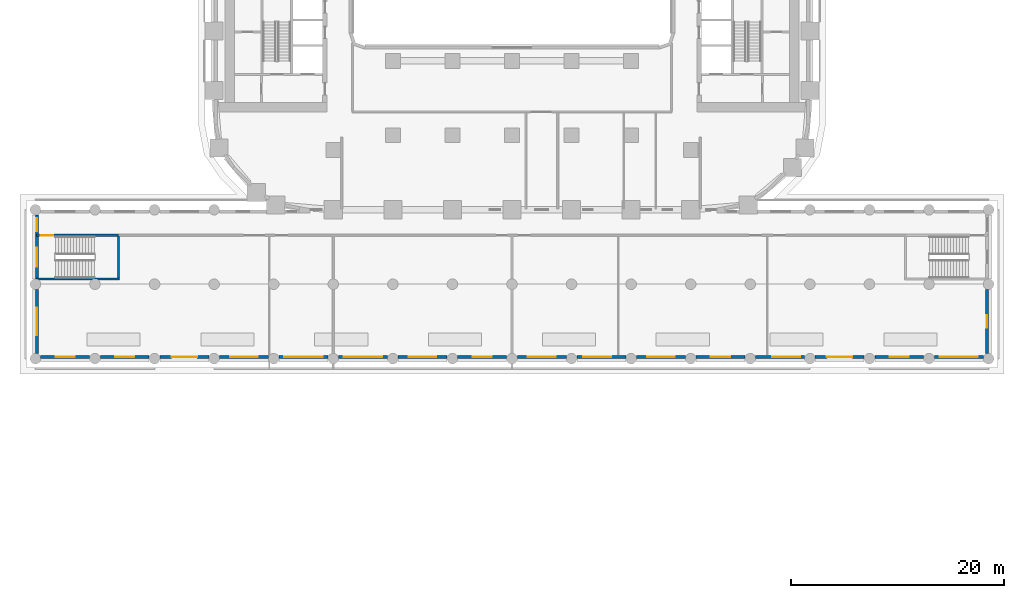
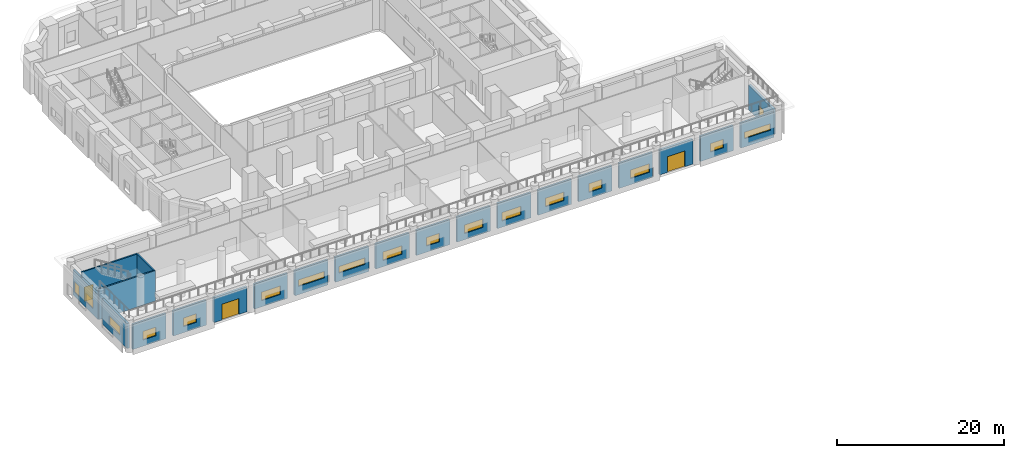
# One storey, part 19 of 35: 22 walls, 18 windows, 3 doors, 21 openings.
"""IFC4 building model written with IfcOpenShell, lengths in metres."""

from ifc_helpers import new_model, si_unit, direction, frame, frame_2d, origin, place, context, subcontext, project, spatial, rectangle, extrude, material, layer, layer_set, type_object, element, fill, save


model = new_model("IFC4")

# Units and contexts
model_context = context("Model", 3, precision=1e-05, world=origin(), true_north=direction((0.0, 1.0)))
body_context = subcontext(model_context, "Body", "Model", "MODEL_VIEW")
ifc_project = project(units=[si_unit("LENGTHUNIT", "METRE"), si_unit("AREAUNIT", "SQUARE_METRE"), si_unit("VOLUMEUNIT", "CUBIC_METRE"), si_unit("PLANEANGLEUNIT", "RADIAN"), si_unit("MASSUNIT", "GRAM", prefix="KILO")], contexts=[model_context])

# Site, building, storey
site_placement = place(None, origin())
site = spatial("IfcSite", under=ifc_project, at=site_placement, CompositionType="ELEMENT")
building_placement = place(site_placement, origin())
building = spatial("IfcBuilding", under=site, at=building_placement, Name="Kiln Ring Residences", CompositionType="ELEMENT")
storey_placement = place(building_placement, frame((0.0, 0.0, 20.89990234375)))
storey = spatial("IfcBuildingStorey", under=building, at=storey_placement, Name="L04", CompositionType="ELEMENT", Elevation=20.89990234375)

# Wall, opening, window
ifc_material_1 = material(Name="Brick masonry, dark clay brick", Category="masonry")
ifc_layer_1 = layer(ifc_material_1, 0.300048828125)
ifc_layer_set_1 = layer_set([ifc_layer_1], Name="EW-300 BRICK WALL")
wall_type_1 = type_object("IfcWallType", Name="EW-300 BRICK WALL", PredefinedType="SOLIDWALL", material=ifc_layer_set_1)
wall_1_placement = place(storey_placement, frame((44.64990234375, -35.89990234375, 0.0), z_axis=(0.0, 0.0, 1.0), x_axis=(0.0, 1.0, 0.0)))
wall_1 = element("IfcWall", 1, at=wall_1_placement, inside=storey, type_object=wall_type_1, Name="Facade wall L04 1", PredefinedType="SOLIDWALL", context=body_context, shape_type="SweptSolid", body=[
    extrude(rectangle(XDim=6.0, YDim=0.300048828125, at=frame_2d((3.0, 0.0))), origin(), (0.0, 0.0, 1.0), 3.650146484375),
])
opening_1_placement = place(wall_1_placement, frame((2.39990234375, 0.0, 0.60009765625)))
opening_1 = element("IfcOpeningElement", 2, at=opening_1_placement, cuts=wall_1, Name="Opening W1", PredefinedType="OPENING", context=body_context, shape_type="SweptSolid", body=[
    extrude(rectangle(XDim=1.199951171875, YDim=1.550048828125, at=frame_2d((0.60009765625, 0.77490234375))), frame((0.0, 0.159912109375, 0.0), z_axis=(0.0, -1.0, 0.0), x_axis=(1.0, 0.0, 0.0)), (0.0, 0.0, 1.0), 0.320068359375),
])
ifc_material_2 = material(Name="Aluminium frame with double glazing", Category="aluminium")
window_type_1 = type_object("IfcWindowType", Name="WINDOW 1200 x 1550", PartitioningType="SINGLE_PANEL", PredefinedType="WINDOW", material=ifc_material_2)
window_1_placement = place(opening_1_placement, origin())
window_1 = element("IfcWindow", 3, at=window_1_placement, inside=storey, type_object=window_type_1, Name="Window L04 1", OverallHeight=1.550048828125, OverallWidth=1.199951171875, PartitioningType="SINGLE_PANEL", PredefinedType="WINDOW", context=body_context, shape_type="SweptSolid", body=[
    extrude(rectangle(XDim=1.199951171875, YDim=1.550048828125, at=frame_2d((0.60009765625, 0.77490234375))), frame((0.0, 0.030029296875, 0.0), z_axis=(0.0, -1.0, 0.0), x_axis=(1.0, 0.0, 0.0)), (0.0, 0.0, 1.0), 0.06005859375),
])
fill(opening_1, window_1)

# Wall, openings, windows
wall_2_placement = place(storey_placement, frame((-44.64990234375, -22.89990234375, 0.0), z_axis=(0.0, 0.0, 1.0), x_axis=(0.0, -1.0, 0.0)))
wall_2 = element("IfcWall", 4, at=wall_2_placement, inside=storey, type_object=wall_type_1, Name="Facade wall L04 53", PredefinedType="SOLIDWALL", context=body_context, shape_type="SweptSolid", body=[
    extrude(rectangle(XDim=6.0, YDim=0.300048828125, at=frame_2d((3.0, 0.0))), origin(), (0.0, 0.0, 1.0), 3.650146484375),
])
opening_2_placement = place(wall_2_placement, frame((0.3125, 0.0, 0.60009765625)))
opening_2 = element("IfcOpeningElement", 5, at=opening_2_placement, cuts=wall_2, Name="Opening W1", PredefinedType="OPENING", context=body_context, shape_type="SweptSolid", body=[
    extrude(rectangle(XDim=1.199951171875, YDim=1.550048828125, at=frame_2d((0.60009765625, 0.77490234375))), frame((0.0, 0.159912109375, 0.0), z_axis=(0.0, -1.0, 0.0), x_axis=(1.0, 0.0, 0.0)), (0.0, 0.0, 1.0), 0.320068359375),
])
opening_3_placement = place(wall_2_placement, frame((3.050048828125, 0.0, 0.89990234375)))
opening_3 = element("IfcOpeningElement", 6, at=opening_3_placement, cuts=wall_2, Name="Opening W2", PredefinedType="OPENING", context=body_context, shape_type="SweptSolid", body=[
    extrude(rectangle(XDim=1.800048828125, YDim=1.25, at=frame_2d((0.89990234375, 0.625))), frame((0.0, 0.159912109375, 0.0), z_axis=(0.0, -1.0, 0.0), x_axis=(1.0, 0.0, 0.0)), (0.0, 0.0, 1.0), 0.320068359375),
])
window_2_placement = place(opening_2_placement, origin())
window_2 = element("IfcWindow", 7, at=window_2_placement, inside=storey, type_object=window_type_1, Name="Window L04 26", OverallHeight=1.550048828125, OverallWidth=1.199951171875, PartitioningType="SINGLE_PANEL", PredefinedType="WINDOW", context=body_context, shape_type="SweptSolid", body=[
    extrude(rectangle(XDim=1.199951171875, YDim=1.550048828125, at=frame_2d((0.60009765625, 0.77490234375))), frame((0.0, 0.030029296875, 0.0), z_axis=(0.0, -1.0, 0.0), x_axis=(1.0, 0.0, 0.0)), (0.0, 0.0, 1.0), 0.06005859375),
])
fill(opening_2, window_2)
ifc_material_3 = material(Name="Aluminium frame with double glazing", Category="aluminium")
window_type_2 = type_object("IfcWindowType", Name="WINDOW 1800 x 1250", PartitioningType="SINGLE_PANEL", PredefinedType="WINDOW", material=ifc_material_3)
window_3_placement = place(opening_3_placement, origin())
window_3 = element("IfcWindow", 8, at=window_3_placement, inside=storey, type_object=window_type_2, Name="Window L04 27", OverallHeight=1.25, OverallWidth=1.800048828125, PartitioningType="SINGLE_PANEL", PredefinedType="WINDOW", context=body_context, shape_type="SweptSolid", body=[
    extrude(rectangle(XDim=1.800048828125, YDim=1.25, at=frame_2d((0.89990234375, 0.625))), frame((0.0, 0.030029296875, 0.0), z_axis=(0.0, -1.0, 0.0), x_axis=(1.0, 0.0, 0.0)), (0.0, 0.0, 1.0), 0.06005859375),
])
fill(opening_3, window_3)

# Wall, opening, window
wall_3_placement = place(storey_placement, frame((-44.64990234375, -29.89990234375, 0.0), z_axis=(0.0, 0.0, 1.0), x_axis=(0.0, -1.0, 0.0)))
wall_3 = element("IfcWall", 9, at=wall_3_placement, inside=storey, type_object=wall_type_1, Name="Facade wall L04 54", PredefinedType="SOLIDWALL", context=body_context, shape_type="SweptSolid", body=[
    extrude(rectangle(XDim=6.0, YDim=0.300048828125, at=frame_2d((3.0, 0.0))), origin(), (0.0, 0.0, 1.0), 3.650146484375),
])
opening_4_placement = place(wall_3_placement, frame((1.699951171875, 0.0, 0.89990234375)))
opening_4 = element("IfcOpeningElement", 10, at=opening_4_placement, cuts=wall_3, Name="Opening W3", PredefinedType="OPENING", context=body_context, shape_type="SweptSolid", body=[
    extrude(rectangle(XDim=2.60009765625, YDim=1.25, at=frame_2d((1.300048828125, 0.625))), frame((0.0, 0.159912109375, 0.0), z_axis=(0.0, -1.0, 0.0), x_axis=(1.0, 0.0, 0.0)), (0.0, 0.0, 1.0), 0.320068359375),
])
ifc_material_4 = material(Name="Aluminium frame with double glazing", Category="aluminium")
window_type_3 = type_object("IfcWindowType", Name="WINDOW 2600 x 1250", PartitioningType="SINGLE_PANEL", PredefinedType="WINDOW", material=ifc_material_4)
window_4_placement = place(opening_4_placement, origin())
window_4 = element("IfcWindow", 11, at=window_4_placement, inside=storey, type_object=window_type_3, Name="Window L04 28", OverallHeight=1.25, OverallWidth=2.60009765625, PartitioningType="SINGLE_PANEL", PredefinedType="WINDOW", context=body_context, shape_type="SweptSolid", body=[
    extrude(rectangle(XDim=2.60009765625, YDim=1.25, at=frame_2d((1.300048828125, 0.625))), frame((0.0, 0.030029296875, 0.0), z_axis=(0.0, -1.0, 0.0), x_axis=(1.0, 0.0, 0.0)), (0.0, 0.0, 1.0), 0.06005859375),
])
fill(opening_4, window_4)

wall_4_placement = place(storey_placement, frame((-44.300048828125, -36.25, 0.0), z_axis=(0.0, 0.0, 1.0), x_axis=(1.0, 0.0, 0.0)))
wall_4 = element("IfcWall", 12, at=wall_4_placement, inside=storey, type_object=wall_type_1, Name="Facade wall L04 55", PredefinedType="SOLIDWALL", context=body_context, shape_type="SweptSolid", body=[
    extrude(rectangle(XDim=4.60009765625, YDim=0.300048828125, at=frame_2d((2.300048828125, 0.0))), origin(), (0.0, 0.0, 1.0), 3.650146484375),
])
opening_5_placement = place(wall_4_placement, frame((1.39990234375, 0.0, 0.89990234375)))
opening_5 = element("IfcOpeningElement", 13, at=opening_5_placement, cuts=wall_4, Name="Opening W2", PredefinedType="OPENING", context=body_context, shape_type="SweptSolid", body=[
    extrude(rectangle(XDim=1.800048828125, YDim=1.25, at=frame_2d((0.89990234375, 0.625))), frame((0.0, 0.159912109375, 0.0), z_axis=(0.0, -1.0, 0.0), x_axis=(1.0, 0.0, 0.0)), (0.0, 0.0, 1.0), 0.320068359375),
])
window_5_placement = place(opening_5_placement, origin())
window_5 = element("IfcWindow", 14, at=window_5_placement, inside=storey, type_object=window_type_2, Name="Window L04 29", OverallHeight=1.25, OverallWidth=1.800048828125, PartitioningType="SINGLE_PANEL", PredefinedType="WINDOW", context=body_context, shape_type="SweptSolid", body=[
    extrude(rectangle(XDim=1.800048828125, YDim=1.25, at=frame_2d((0.89990234375, 0.625))), frame((0.0, 0.030029296875, 0.0), z_axis=(0.0, -1.0, 0.0), x_axis=(1.0, 0.0, 0.0)), (0.0, 0.0, 1.0), 0.06005859375),
])
fill(opening_5, window_5)

wall_5_placement = place(storey_placement, frame((-38.699951171875, -36.25, 0.0), z_axis=(0.0, 0.0, 1.0), x_axis=(1.0, 0.0, 0.0)))
wall_5 = element("IfcWall", 15, at=wall_5_placement, inside=storey, type_object=wall_type_1, Name="Facade wall L04 56", PredefinedType="SOLIDWALL", context=body_context, shape_type="SweptSolid", body=[
    extrude(rectangle(XDim=4.599853515625, YDim=0.300048828125, at=frame_2d((2.2998046875, 0.0))), origin(), (0.0, 0.0, 1.0), 3.650146484375),
])
opening_6_placement = place(wall_5_placement, frame((1.39990234375, 0.0, 0.89990234375)))
opening_6 = element("IfcOpeningElement", 16, at=opening_6_placement, cuts=wall_5, Name="Opening W2", PredefinedType="OPENING", context=body_context, shape_type="SweptSolid", body=[
    extrude(rectangle(XDim=1.800048828125, YDim=1.25, at=frame_2d((0.89990234375, 0.625))), frame((0.0, 0.159912109375, 0.0), z_axis=(0.0, -1.0, 0.0), x_axis=(1.0, 0.0, 0.0)), (0.0, 0.0, 1.0), 0.320068359375),
])
window_6_placement = place(opening_6_placement, origin())
window_6 = element("IfcWindow", 17, at=window_6_placement, inside=storey, type_object=window_type_2, Name="Window L04 30", OverallHeight=1.25, OverallWidth=1.800048828125, PartitioningType="SINGLE_PANEL", PredefinedType="WINDOW", context=body_context, shape_type="SweptSolid", body=[
    extrude(rectangle(XDim=1.800048828125, YDim=1.25, at=frame_2d((0.89990234375, 0.625))), frame((0.0, 0.030029296875, 0.0), z_axis=(0.0, -1.0, 0.0), x_axis=(1.0, 0.0, 0.0)), (0.0, 0.0, 1.0), 0.06005859375),
])
fill(opening_6, window_6)

# Wall, opening, door
wall_6_placement = place(storey_placement, frame((-33.10009765625, -36.25, 0.0), z_axis=(0.0, 0.0, 1.0), x_axis=(1.0, 0.0, 0.0)))
wall_6 = element("IfcWall", 18, at=wall_6_placement, inside=storey, type_object=wall_type_1, Name="Facade wall L04 57", PredefinedType="SOLIDWALL", context=body_context, shape_type="SweptSolid", body=[
    extrude(rectangle(XDim=4.60009765625, YDim=0.300048828125, at=frame_2d((2.300048828125, 0.0))), origin(), (0.0, 0.0, 1.0), 3.650146484375),
])
opening_7_placement = place(wall_6_placement, frame((1.10009765625, 0.0, 0.0)))
opening_7 = element("IfcOpeningElement", 19, at=opening_7_placement, cuts=wall_6, Name="Opening EL04-1", PredefinedType="OPENING", context=body_context, shape_type="SweptSolid", body=[
    extrude(rectangle(XDim=2.39990234375, YDim=2.300048828125, at=frame_2d((1.199951171875, 1.14990234375))), frame((0.0, 0.159912109375, 0.0), z_axis=(0.0, -1.0, 0.0), x_axis=(1.0, 0.0, 0.0)), (0.0, 0.0, 1.0), 0.320068359375),
])
ifc_material_5 = material(Name="Aluminium and glass", Category="aluminium")
door_type_1 = type_object("IfcDoorType", Name="TERRACE DOOR 2400 x 2300", OperationType="DOUBLE_DOOR_SINGLE_SWING", PredefinedType="DOOR", material=ifc_material_5)
door_1_placement = place(opening_7_placement, origin())
door_1 = element("IfcDoor", 20, at=door_1_placement, inside=storey, type_object=door_type_1, Name="Terrace door EL04-1", OperationType="SINGLE_SWING_LEFT", OverallHeight=2.300048828125, OverallWidth=2.39990234375, PredefinedType="DOOR", context=body_context, shape_type="SweptSolid", body=[
    extrude(rectangle(XDim=2.39990234375, YDim=2.300048828125, at=frame_2d((1.199951171875, 1.14990234375))), frame((0.0, 0.02490234375, 0.0), z_axis=(0.0, -1.0, 0.0), x_axis=(1.0, 0.0, 0.0)), (0.0, 0.0, 1.0), 0.050048828125),
])
fill(opening_7, door_1)

# Wall, opening, window
wall_7_placement = place(storey_placement, frame((-27.5, -36.25, 0.0), z_axis=(0.0, 0.0, 1.0), x_axis=(1.0, 0.0, 0.0)))
wall_7 = element("IfcWall", 21, at=wall_7_placement, inside=storey, type_object=wall_type_1, Name="Facade wall L04 58", PredefinedType="SOLIDWALL", context=body_context, shape_type="SweptSolid", body=[
    extrude(rectangle(XDim=4.60009765625, YDim=0.300048828125, at=frame_2d((2.300048828125, 0.0))), origin(), (0.0, 0.0, 1.0), 3.650146484375),
])
opening_8_placement = place(wall_7_placement, frame((1.0, 0.0, 0.89990234375)))
opening_8 = element("IfcOpeningElement", 22, at=opening_8_placement, cuts=wall_7, Name="Opening W3", PredefinedType="OPENING", context=body_context, shape_type="SweptSolid", body=[
    extrude(rectangle(XDim=2.60009765625, YDim=1.25, at=frame_2d((1.300048828125, 0.625))), frame((0.0, 0.159912109375, 0.0), z_axis=(0.0, -1.0, 0.0), x_axis=(1.0, 0.0, 0.0)), (0.0, 0.0, 1.0), 0.320068359375),
])
window_7_placement = place(opening_8_placement, origin())
window_7 = element("IfcWindow", 23, at=window_7_placement, inside=storey, type_object=window_type_3, Name="Window L04 31", OverallHeight=1.25, OverallWidth=2.60009765625, PartitioningType="SINGLE_PANEL", PredefinedType="WINDOW", context=body_context, shape_type="SweptSolid", body=[
    extrude(rectangle(XDim=2.60009765625, YDim=1.25, at=frame_2d((1.300048828125, 0.625))), frame((0.0, 0.030029296875, 0.0), z_axis=(0.0, -1.0, 0.0), x_axis=(1.0, 0.0, 0.0)), (0.0, 0.0, 1.0), 0.06005859375),
])
fill(opening_8, window_7)

wall_8_placement = place(storey_placement, frame((-21.89990234375, -36.25, 0.0), z_axis=(0.0, 0.0, 1.0), x_axis=(1.0, 0.0, 0.0)))
wall_8 = element("IfcWall", 24, at=wall_8_placement, inside=storey, type_object=wall_type_1, Name="Facade wall L04 59", PredefinedType="SOLIDWALL", context=body_context, shape_type="SweptSolid", body=[
    extrude(rectangle(XDim=4.599853515625, YDim=0.300048828125, at=frame_2d((2.2998046875, 0.0))), origin(), (0.0, 0.0, 1.0), 3.650146484375),
])
opening_9_placement = place(wall_8_placement, frame((0.5, 0.0, 1.199951171875)))
opening_9 = element("IfcOpeningElement", 25, at=opening_9_placement, cuts=wall_8, Name="Opening W4", PredefinedType="OPENING", context=body_context, shape_type="SweptSolid", body=[
    extrude(rectangle(XDim=3.60009765625, YDim=0.949951171875, at=frame_2d((1.800048828125, 0.47509765625))), frame((0.0, 0.159912109375, 0.0), z_axis=(0.0, -1.0, 0.0), x_axis=(1.0, 0.0, 0.0)), (0.0, 0.0, 1.0), 0.320068359375),
])
ifc_material_6 = material(Name="Aluminium frame with double glazing", Category="aluminium")
window_type_4 = type_object("IfcWindowType", Name="WINDOW 3600 x 950", PartitioningType="SINGLE_PANEL", PredefinedType="WINDOW", material=ifc_material_6)
window_8_placement = place(opening_9_placement, origin())
window_8 = element("IfcWindow", 26, at=window_8_placement, inside=storey, type_object=window_type_4, Name="Window L04 32", OverallHeight=0.949951171875, OverallWidth=3.60009765625, PartitioningType="SINGLE_PANEL", PredefinedType="WINDOW", context=body_context, shape_type="SweptSolid", body=[
    extrude(rectangle(XDim=3.60009765625, YDim=0.949951171875, at=frame_2d((1.800048828125, 0.47509765625))), frame((0.0, 0.030029296875, 0.0), z_axis=(0.0, -1.0, 0.0), x_axis=(1.0, 0.0, 0.0)), (0.0, 0.0, 1.0), 0.06005859375),
])
fill(opening_9, window_8)

wall_9_placement = place(storey_placement, frame((-16.300048828125, -36.25, 0.0), z_axis=(0.0, 0.0, 1.0), x_axis=(1.0, 0.0, 0.0)))
wall_9 = element("IfcWall", 27, at=wall_9_placement, inside=storey, type_object=wall_type_1, Name="Facade wall L04 60", PredefinedType="SOLIDWALL", context=body_context, shape_type="SweptSolid", body=[
    extrude(rectangle(XDim=4.60009765625, YDim=0.300048828125, at=frame_2d((2.300048828125, 0.0))), origin(), (0.0, 0.0, 1.0), 3.650146484375),
])
opening_10_placement = place(wall_9_placement, frame((0.5, 0.0, 1.199951171875)))
opening_10 = element("IfcOpeningElement", 28, at=opening_10_placement, cuts=wall_9, Name="Opening W4", PredefinedType="OPENING", context=body_context, shape_type="SweptSolid", body=[
    extrude(rectangle(XDim=3.60009765625, YDim=0.949951171875, at=frame_2d((1.800048828125, 0.47509765625))), frame((0.0, 0.159912109375, 0.0), z_axis=(0.0, -1.0, 0.0), x_axis=(1.0, 0.0, 0.0)), (0.0, 0.0, 1.0), 0.320068359375),
])
window_9_placement = place(opening_10_placement, origin())
window_9 = element("IfcWindow", 29, at=window_9_placement, inside=storey, type_object=window_type_4, Name="Window L04 33", OverallHeight=0.949951171875, OverallWidth=3.60009765625, PartitioningType="SINGLE_PANEL", PredefinedType="WINDOW", context=body_context, shape_type="SweptSolid", body=[
    extrude(rectangle(XDim=3.60009765625, YDim=0.949951171875, at=frame_2d((1.800048828125, 0.47509765625))), frame((0.0, 0.030029296875, 0.0), z_axis=(0.0, -1.0, 0.0), x_axis=(1.0, 0.0, 0.0)), (0.0, 0.0, 1.0), 0.06005859375),
])
fill(opening_10, window_9)

wall_10_placement = place(storey_placement, frame((-10.699951171875, -36.25, 0.0), z_axis=(0.0, 0.0, 1.0), x_axis=(1.0, 0.0, 0.0)))
wall_10 = element("IfcWall", 30, at=wall_10_placement, inside=storey, type_object=wall_type_1, Name="Facade wall L04 61", PredefinedType="SOLIDWALL", context=body_context, shape_type="SweptSolid", body=[
    extrude(rectangle(XDim=4.599853515625, YDim=0.300048828125, at=frame_2d((2.2998046875, 0.0))), origin(), (0.0, 0.0, 1.0), 3.650146484375),
])
opening_11_placement = place(wall_10_placement, frame((1.0, 0.0, 0.89990234375)))
opening_11 = element("IfcOpeningElement", 31, at=opening_11_placement, cuts=wall_10, Name="Opening W3", PredefinedType="OPENING", context=body_context, shape_type="SweptSolid", body=[
    extrude(rectangle(XDim=2.60009765625, YDim=1.25, at=frame_2d((1.300048828125, 0.625))), frame((0.0, 0.159912109375, 0.0), z_axis=(0.0, -1.0, 0.0), x_axis=(1.0, 0.0, 0.0)), (0.0, 0.0, 1.0), 0.320068359375),
])
window_10_placement = place(opening_11_placement, origin())
window_10 = element("IfcWindow", 32, at=window_10_placement, inside=storey, type_object=window_type_3, Name="Window L04 34", OverallHeight=1.25, OverallWidth=2.60009765625, PartitioningType="SINGLE_PANEL", PredefinedType="WINDOW", context=body_context, shape_type="SweptSolid", body=[
    extrude(rectangle(XDim=2.60009765625, YDim=1.25, at=frame_2d((1.300048828125, 0.625))), frame((0.0, 0.030029296875, 0.0), z_axis=(0.0, -1.0, 0.0), x_axis=(1.0, 0.0, 0.0)), (0.0, 0.0, 1.0), 0.06005859375),
])
fill(opening_11, window_10)

wall_11_placement = place(storey_placement, frame((-5.10009765625, -36.25, 0.0), z_axis=(0.0, 0.0, 1.0), x_axis=(1.0, 0.0, 0.0)))
wall_11 = element("IfcWall", 33, at=wall_11_placement, inside=storey, type_object=wall_type_1, Name="Facade wall L04 62", PredefinedType="SOLIDWALL", context=body_context, shape_type="SweptSolid", body=[
    extrude(rectangle(XDim=4.60009765625, YDim=0.300048828125, at=frame_2d((2.300048828125, 0.0))), origin(), (0.0, 0.0, 1.0), 3.650146484375),
])
opening_12_placement = place(wall_11_placement, frame((1.39990234375, 0.0, 0.89990234375)))
opening_12 = element("IfcOpeningElement", 34, at=opening_12_placement, cuts=wall_11, Name="Opening W2", PredefinedType="OPENING", context=body_context, shape_type="SweptSolid", body=[
    extrude(rectangle(XDim=1.800048828125, YDim=1.25, at=frame_2d((0.89990234375, 0.625))), frame((0.0, 0.159912109375, 0.0), z_axis=(0.0, -1.0, 0.0), x_axis=(1.0, 0.0, 0.0)), (0.0, 0.0, 1.0), 0.320068359375),
])
window_11_placement = place(opening_12_placement, origin())
window_11 = element("IfcWindow", 35, at=window_11_placement, inside=storey, type_object=window_type_2, Name="Window L04 35", OverallHeight=1.25, OverallWidth=1.800048828125, PartitioningType="SINGLE_PANEL", PredefinedType="WINDOW", context=body_context, shape_type="SweptSolid", body=[
    extrude(rectangle(XDim=1.800048828125, YDim=1.25, at=frame_2d((0.89990234375, 0.625))), frame((0.0, 0.030029296875, 0.0), z_axis=(0.0, -1.0, 0.0), x_axis=(1.0, 0.0, 0.0)), (0.0, 0.0, 1.0), 0.06005859375),
])
fill(opening_12, window_11)

wall_12_placement = place(storey_placement, frame((0.5, -36.25, 0.0), z_axis=(0.0, 0.0, 1.0), x_axis=(1.0, 0.0, 0.0)))
wall_12 = element("IfcWall", 36, at=wall_12_placement, inside=storey, type_object=wall_type_1, Name="Facade wall L04 63", PredefinedType="SOLIDWALL", context=body_context, shape_type="SweptSolid", body=[
    extrude(rectangle(XDim=4.60009765625, YDim=0.300048828125, at=frame_2d((2.300048828125, 0.0))), origin(), (0.0, 0.0, 1.0), 3.650146484375),
])
opening_13_placement = place(wall_12_placement, frame((1.0, 0.0, 0.89990234375)))
opening_13 = element("IfcOpeningElement", 37, at=opening_13_placement, cuts=wall_12, Name="Opening W3", PredefinedType="OPENING", context=body_context, shape_type="SweptSolid", body=[
    extrude(rectangle(XDim=2.60009765625, YDim=1.25, at=frame_2d((1.300048828125, 0.625))), frame((0.0, 0.159912109375, 0.0), z_axis=(0.0, -1.0, 0.0), x_axis=(1.0, 0.0, 0.0)), (0.0, 0.0, 1.0), 0.320068359375),
])
window_12_placement = place(opening_13_placement, origin())
window_12 = element("IfcWindow", 38, at=window_12_placement, inside=storey, type_object=window_type_3, Name="Window L04 36", OverallHeight=1.25, OverallWidth=2.60009765625, PartitioningType="SINGLE_PANEL", PredefinedType="WINDOW", context=body_context, shape_type="SweptSolid", body=[
    extrude(rectangle(XDim=2.60009765625, YDim=1.25, at=frame_2d((1.300048828125, 0.625))), frame((0.0, 0.030029296875, 0.0), z_axis=(0.0, -1.0, 0.0), x_axis=(1.0, 0.0, 0.0)), (0.0, 0.0, 1.0), 0.06005859375),
])
fill(opening_13, window_12)

wall_13_placement = place(storey_placement, frame((6.10009765625, -36.25, 0.0), z_axis=(0.0, 0.0, 1.0), x_axis=(1.0, 0.0, 0.0)))
wall_13 = element("IfcWall", 39, at=wall_13_placement, inside=storey, type_object=wall_type_1, Name="Facade wall L04 64", PredefinedType="SOLIDWALL", context=body_context, shape_type="SweptSolid", body=[
    extrude(rectangle(XDim=4.599853515625, YDim=0.300048828125, at=frame_2d((2.2998046875, 0.0))), origin(), (0.0, 0.0, 1.0), 3.650146484375),
])
opening_14_placement = place(wall_13_placement, frame((0.612548828125, 0.0, 0.89990234375)))
opening_14 = element("IfcOpeningElement", 40, at=opening_14_placement, cuts=wall_13, Name="Opening W3", PredefinedType="OPENING", context=body_context, shape_type="SweptSolid", body=[
    extrude(rectangle(XDim=2.60009765625, YDim=1.25, at=frame_2d((1.300048828125, 0.625))), frame((0.0, 0.159912109375, 0.0), z_axis=(0.0, -1.0, 0.0), x_axis=(1.0, 0.0, 0.0)), (0.0, 0.0, 1.0), 0.320068359375),
])
window_13_placement = place(opening_14_placement, origin())
window_13 = element("IfcWindow", 41, at=window_13_placement, inside=storey, type_object=window_type_3, Name="Window L04 37", OverallHeight=1.25, OverallWidth=2.60009765625, PartitioningType="SINGLE_PANEL", PredefinedType="WINDOW", context=body_context, shape_type="SweptSolid", body=[
    extrude(rectangle(XDim=2.60009765625, YDim=1.25, at=frame_2d((1.300048828125, 0.625))), frame((0.0, 0.030029296875, 0.0), z_axis=(0.0, -1.0, 0.0), x_axis=(1.0, 0.0, 0.0)), (0.0, 0.0, 1.0), 0.06005859375),
])
fill(opening_14, window_13)

wall_14_placement = place(storey_placement, frame((11.699951171875, -36.25, 0.0), z_axis=(0.0, 0.0, 1.0), x_axis=(1.0, 0.0, 0.0)))
wall_14 = element("IfcWall", 42, at=wall_14_placement, inside=storey, type_object=wall_type_1, Name="Facade wall L04 65", PredefinedType="SOLIDWALL", context=body_context, shape_type="SweptSolid", body=[
    extrude(rectangle(XDim=4.60009765625, YDim=0.300048828125, at=frame_2d((2.300048828125, 0.0))), origin(), (0.0, 0.0, 1.0), 3.650146484375),
])
opening_15_placement = place(wall_14_placement, frame((1.0, 0.0, 0.89990234375)))
opening_15 = element("IfcOpeningElement", 43, at=opening_15_placement, cuts=wall_14, Name="Opening W3", PredefinedType="OPENING", context=body_context, shape_type="SweptSolid", body=[
    extrude(rectangle(XDim=2.60009765625, YDim=1.25, at=frame_2d((1.300048828125, 0.625))), frame((0.0, 0.159912109375, 0.0), z_axis=(0.0, -1.0, 0.0), x_axis=(1.0, 0.0, 0.0)), (0.0, 0.0, 1.0), 0.320068359375),
])
window_14_placement = place(opening_15_placement, origin())
window_14 = element("IfcWindow", 44, at=window_14_placement, inside=storey, type_object=window_type_3, Name="Window L04 38", OverallHeight=1.25, OverallWidth=2.60009765625, PartitioningType="SINGLE_PANEL", PredefinedType="WINDOW", context=body_context, shape_type="SweptSolid", body=[
    extrude(rectangle(XDim=2.60009765625, YDim=1.25, at=frame_2d((1.300048828125, 0.625))), frame((0.0, 0.030029296875, 0.0), z_axis=(0.0, -1.0, 0.0), x_axis=(1.0, 0.0, 0.0)), (0.0, 0.0, 1.0), 0.06005859375),
])
fill(opening_15, window_14)

wall_15_placement = place(storey_placement, frame((17.300048828125, -36.25, 0.0), z_axis=(0.0, 0.0, 1.0), x_axis=(1.0, 0.0, 0.0)))
wall_15 = element("IfcWall", 45, at=wall_15_placement, inside=storey, type_object=wall_type_1, Name="Facade wall L04 66", PredefinedType="SOLIDWALL", context=body_context, shape_type="SweptSolid", body=[
    extrude(rectangle(XDim=4.599853515625, YDim=0.300048828125, at=frame_2d((2.2998046875, 0.0))), origin(), (0.0, 0.0, 1.0), 3.650146484375),
])
opening_16_placement = place(wall_15_placement, frame((1.39990234375, 0.0, 0.89990234375)))
opening_16 = element("IfcOpeningElement", 46, at=opening_16_placement, cuts=wall_15, Name="Opening W2", PredefinedType="OPENING", context=body_context, shape_type="SweptSolid", body=[
    extrude(rectangle(XDim=1.800048828125, YDim=1.25, at=frame_2d((0.89990234375, 0.625))), frame((0.0, 0.159912109375, 0.0), z_axis=(0.0, -1.0, 0.0), x_axis=(1.0, 0.0, 0.0)), (0.0, 0.0, 1.0), 0.320068359375),
])
window_15_placement = place(opening_16_placement, origin())
window_15 = element("IfcWindow", 47, at=window_15_placement, inside=storey, type_object=window_type_2, Name="Window L04 39", OverallHeight=1.25, OverallWidth=1.800048828125, PartitioningType="SINGLE_PANEL", PredefinedType="WINDOW", context=body_context, shape_type="SweptSolid", body=[
    extrude(rectangle(XDim=1.800048828125, YDim=1.25, at=frame_2d((0.89990234375, 0.625))), frame((0.0, 0.030029296875, 0.0), z_axis=(0.0, -1.0, 0.0), x_axis=(1.0, 0.0, 0.0)), (0.0, 0.0, 1.0), 0.06005859375),
])
fill(opening_16, window_15)

wall_16_placement = place(storey_placement, frame((22.89990234375, -36.25, 0.0), z_axis=(0.0, 0.0, 1.0), x_axis=(1.0, 0.0, 0.0)))
wall_16 = element("IfcWall", 48, at=wall_16_placement, inside=storey, type_object=wall_type_1, Name="Facade wall L04 67", PredefinedType="SOLIDWALL", context=body_context, shape_type="SweptSolid", body=[
    extrude(rectangle(XDim=4.60009765625, YDim=0.300048828125, at=frame_2d((2.300048828125, 0.0))), origin(), (0.0, 0.0, 1.0), 3.650146484375),
])
opening_17_placement = place(wall_16_placement, frame((1.58740234375, 0.0, 0.89990234375)))
opening_17 = element("IfcOpeningElement", 49, at=opening_17_placement, cuts=wall_16, Name="Opening W3", PredefinedType="OPENING", context=body_context, shape_type="SweptSolid", body=[
    extrude(rectangle(XDim=2.60009765625, YDim=1.25, at=frame_2d((1.300048828125, 0.625))), frame((0.0, 0.159912109375, 0.0), z_axis=(0.0, -1.0, 0.0), x_axis=(1.0, 0.0, 0.0)), (0.0, 0.0, 1.0), 0.320068359375),
])
window_16_placement = place(opening_17_placement, origin())
window_16 = element("IfcWindow", 50, at=window_16_placement, inside=storey, type_object=window_type_3, Name="Window L04 40", OverallHeight=1.25, OverallWidth=2.60009765625, PartitioningType="SINGLE_PANEL", PredefinedType="WINDOW", context=body_context, shape_type="SweptSolid", body=[
    extrude(rectangle(XDim=2.60009765625, YDim=1.25, at=frame_2d((1.300048828125, 0.625))), frame((0.0, 0.030029296875, 0.0), z_axis=(0.0, -1.0, 0.0), x_axis=(1.0, 0.0, 0.0)), (0.0, 0.0, 1.0), 0.06005859375),
])
fill(opening_17, window_16)

# Wall, opening, door
wall_17_placement = place(storey_placement, frame((28.5, -36.25, 0.0), z_axis=(0.0, 0.0, 1.0), x_axis=(1.0, 0.0, 0.0)))
wall_17 = element("IfcWall", 51, at=wall_17_placement, inside=storey, type_object=wall_type_1, Name="Facade wall L04 68", PredefinedType="SOLIDWALL", context=body_context, shape_type="SweptSolid", body=[
    extrude(rectangle(XDim=4.60009765625, YDim=0.300048828125, at=frame_2d((2.300048828125, 0.0))), origin(), (0.0, 0.0, 1.0), 3.650146484375),
])
opening_18_placement = place(wall_17_placement, frame((1.10009765625, 0.0, 0.0)))
opening_18 = element("IfcOpeningElement", 52, at=opening_18_placement, cuts=wall_17, Name="Opening EL04-2", PredefinedType="OPENING", context=body_context, shape_type="SweptSolid", body=[
    extrude(rectangle(XDim=2.39990234375, YDim=2.300048828125, at=frame_2d((1.199951171875, 1.14990234375))), frame((0.0, 0.159912109375, 0.0), z_axis=(0.0, -1.0, 0.0), x_axis=(1.0, 0.0, 0.0)), (0.0, 0.0, 1.0), 0.320068359375),
])
door_2_placement = place(opening_18_placement, origin())
door_2 = element("IfcDoor", 53, at=door_2_placement, inside=storey, type_object=door_type_1, Name="Terrace door EL04-2", OperationType="SINGLE_SWING_LEFT", OverallHeight=2.300048828125, OverallWidth=2.39990234375, PredefinedType="DOOR", context=body_context, shape_type="SweptSolid", body=[
    extrude(rectangle(XDim=2.39990234375, YDim=2.300048828125, at=frame_2d((1.199951171875, 1.14990234375))), frame((0.0, 0.02490234375, 0.0), z_axis=(0.0, -1.0, 0.0), x_axis=(1.0, 0.0, 0.0)), (0.0, 0.0, 1.0), 0.050048828125),
])
fill(opening_18, door_2)

# Wall, opening, window
wall_18_placement = place(storey_placement, frame((34.10009765625, -36.25, 0.0), z_axis=(0.0, 0.0, 1.0), x_axis=(1.0, 0.0, 0.0)))
wall_18 = element("IfcWall", 54, at=wall_18_placement, inside=storey, type_object=wall_type_1, Name="Facade wall L04 69", PredefinedType="SOLIDWALL", context=body_context, shape_type="SweptSolid", body=[
    extrude(rectangle(XDim=4.599853515625, YDim=0.300048828125, at=frame_2d((2.2998046875, 0.0))), origin(), (0.0, 0.0, 1.0), 3.650146484375),
])
opening_19_placement = place(wall_18_placement, frame((1.39990234375, 0.0, 0.89990234375)))
opening_19 = element("IfcOpeningElement", 55, at=opening_19_placement, cuts=wall_18, Name="Opening W2", PredefinedType="OPENING", context=body_context, shape_type="SweptSolid", body=[
    extrude(rectangle(XDim=1.800048828125, YDim=1.25, at=frame_2d((0.89990234375, 0.625))), frame((0.0, 0.159912109375, 0.0), z_axis=(0.0, -1.0, 0.0), x_axis=(1.0, 0.0, 0.0)), (0.0, 0.0, 1.0), 0.320068359375),
])
window_17_placement = place(opening_19_placement, origin())
window_17 = element("IfcWindow", 56, at=window_17_placement, inside=storey, type_object=window_type_2, Name="Window L04 41", OverallHeight=1.25, OverallWidth=1.800048828125, PartitioningType="SINGLE_PANEL", PredefinedType="WINDOW", context=body_context, shape_type="SweptSolid", body=[
    extrude(rectangle(XDim=1.800048828125, YDim=1.25, at=frame_2d((0.89990234375, 0.625))), frame((0.0, 0.030029296875, 0.0), z_axis=(0.0, -1.0, 0.0), x_axis=(1.0, 0.0, 0.0)), (0.0, 0.0, 1.0), 0.06005859375),
])
fill(opening_19, window_17)

wall_19_placement = place(storey_placement, frame((39.699951171875, -36.25, 0.0), z_axis=(0.0, 0.0, 1.0), x_axis=(1.0, 0.0, 0.0)))
wall_19 = element("IfcWall", 57, at=wall_19_placement, inside=storey, type_object=wall_type_1, Name="Facade wall L04 70", PredefinedType="SOLIDWALL", context=body_context, shape_type="SweptSolid", body=[
    extrude(rectangle(XDim=4.60009765625, YDim=0.300048828125, at=frame_2d((2.300048828125, 0.0))), origin(), (0.0, 0.0, 1.0), 3.650146484375),
])
opening_20_placement = place(wall_19_placement, frame((0.5, 0.0, 1.199951171875)))
opening_20 = element("IfcOpeningElement", 58, at=opening_20_placement, cuts=wall_19, Name="Opening W4", PredefinedType="OPENING", context=body_context, shape_type="SweptSolid", body=[
    extrude(rectangle(XDim=3.60009765625, YDim=0.949951171875, at=frame_2d((1.800048828125, 0.47509765625))), frame((0.0, 0.159912109375, 0.0), z_axis=(0.0, -1.0, 0.0), x_axis=(1.0, 0.0, 0.0)), (0.0, 0.0, 1.0), 0.320068359375),
])
window_18_placement = place(opening_20_placement, origin())
window_18 = element("IfcWindow", 59, at=window_18_placement, inside=storey, type_object=window_type_4, Name="Window L04 42", OverallHeight=0.949951171875, OverallWidth=3.60009765625, PartitioningType="SINGLE_PANEL", PredefinedType="WINDOW", context=body_context, shape_type="SweptSolid", body=[
    extrude(rectangle(XDim=3.60009765625, YDim=0.949951171875, at=frame_2d((1.800048828125, 0.47509765625))), frame((0.0, 0.030029296875, 0.0), z_axis=(0.0, -1.0, 0.0), x_axis=(1.0, 0.0, 0.0)), (0.0, 0.0, 1.0), 0.06005859375),
])
fill(opening_20, window_18)

# Wall
ifc_material_7 = material(Name="Concrete C40/50", Category="concrete")
ifc_layer_2 = layer(ifc_material_7, 0.199951171875)
ifc_layer_set_2 = layer_set([ifc_layer_2], Name="PODIUM-STAIR-WALL-200")
wall_type_2 = type_object("IfcWallType", Name="PODIUM-STAIR-WALL-200", PredefinedType="SHEAR", material=ifc_layer_set_2)
wall_20_placement = place(storey_placement, frame((-44.7099609375, -28.89990234375, 0.0), z_axis=(0.0, 0.0, 1.0), x_axis=(1.0, 0.0, 0.0)))
element("IfcWall", 60, at=wall_20_placement, inside=storey, type_object=wall_type_2, Name="Stair wall 000", PredefinedType="SHEAR", context=body_context, shape_type="SweptSolid", body=[
    extrude(rectangle(XDim=7.81005859375, YDim=0.199951171875, at=frame_2d((3.905029296875, 0.0))), origin(), (0.0, 0.0, 1.0), 4.4501953125),
])

# Wall, opening, door
wall_21_placement = place(storey_placement, frame((-44.7099609375, -24.800048828125, 0.0), z_axis=(0.0, 0.0, 1.0), x_axis=(1.0, 0.0, 0.0)))
wall_21 = element("IfcWall", 61, at=wall_21_placement, inside=storey, type_object=wall_type_2, Name="Stair wall 003", PredefinedType="SHEAR", context=body_context, shape_type="SweptSolid", body=[
    extrude(rectangle(XDim=7.7099609375, YDim=0.199951171875, at=frame_2d((3.85498046875, 0.0))), origin(), (0.0, 0.0, 1.0), 4.4501953125),
])
opening_21_placement = place(wall_21_placement, frame((0.39990234375, 0.0, 0.0)))
opening_21 = element("IfcOpeningElement", 62, at=opening_21_placement, cuts=wall_21, Name="Opening L04-D006", PredefinedType="OPENING", context=body_context, shape_type="SweptSolid", body=[
    extrude(rectangle(XDim=1.199951171875, YDim=2.10009765625, at=frame_2d((0.60009765625, 1.050048828125))), frame((0.0, 0.10986328125, 0.0), z_axis=(0.0, -1.0, 0.0), x_axis=(1.0, 0.0, 0.0)), (0.0, 0.0, 1.0), 0.219970703125),
])
ifc_material_8 = material(Name="Steel faced fire door leaf", Category="steel")
door_type_2 = type_object("IfcDoorType", Name="FLAT-DOOR-1200-FR", OperationType="SINGLE_SWING_LEFT", PredefinedType="DOOR", material=ifc_material_8)
door_3_placement = place(opening_21_placement, origin())
door_3 = element("IfcDoor", 63, at=door_3_placement, inside=storey, type_object=door_type_2, Name="Door L04-D006", OperationType="SINGLE_SWING_LEFT", OverallHeight=2.10009765625, OverallWidth=1.199951171875, PredefinedType="DOOR", context=body_context, shape_type="SweptSolid", body=[
    extrude(rectangle(XDim=1.199951171875, YDim=2.10009765625, at=frame_2d((0.60009765625, 1.050048828125))), frame((0.0, 0.02490234375, 0.0), z_axis=(0.0, -1.0, 0.0), x_axis=(1.0, 0.0, 0.0)), (0.0, 0.0, 1.0), 0.050048828125),
])
fill(opening_21, door_3)

# Wall
wall_22_placement = place(storey_placement, frame((-37.0, -28.800048828125, 0.0), z_axis=(0.0, 0.0, 1.0), x_axis=(0.0, 1.0, 0.0)))
element("IfcWall", 64, at=wall_22_placement, inside=storey, type_object=wall_type_2, Name="Stair wall 009", PredefinedType="SHEAR", context=body_context, shape_type="SweptSolid", body=[
    extrude(rectangle(XDim=3.925048828125, YDim=0.199951171875, at=frame_2d((1.96240234375, 0.0))), origin(), (0.0, 0.0, 1.0), 4.4501953125),
])

save(model, "model.ifc")
